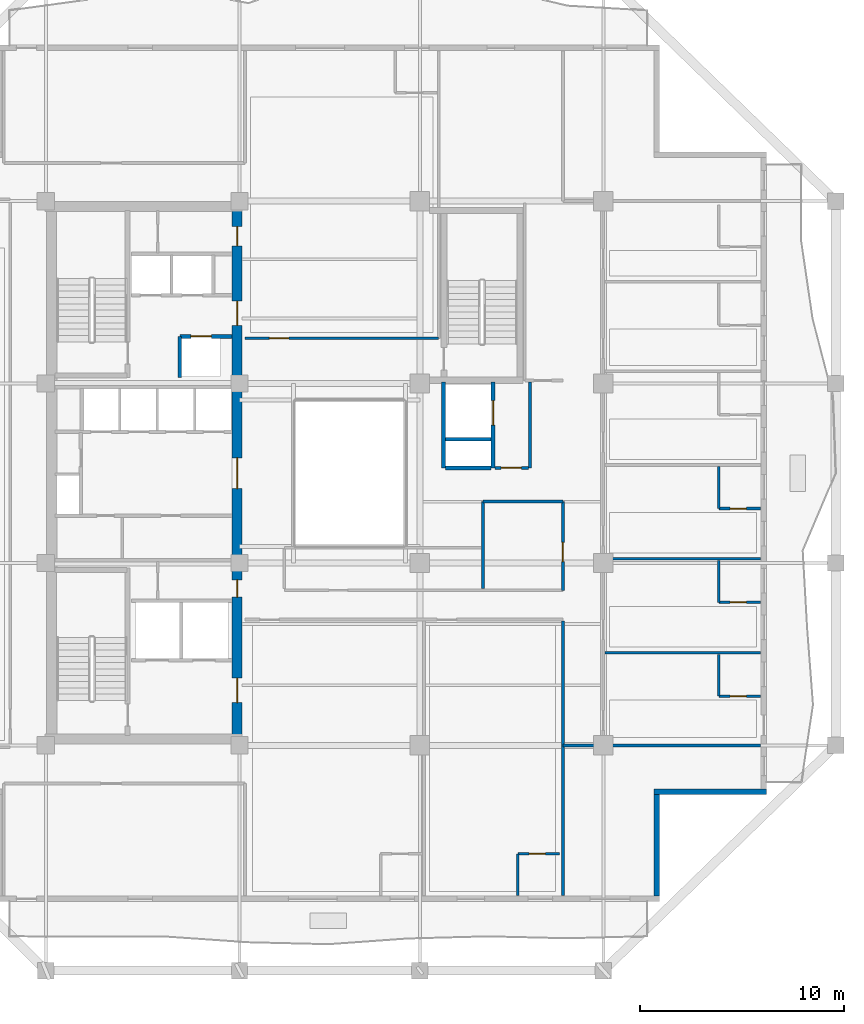
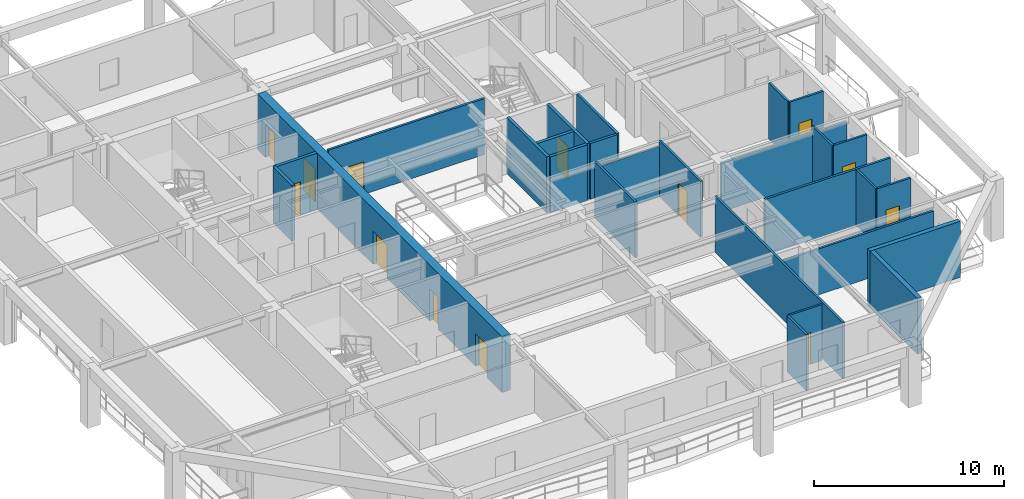
# One storey, part 4 of 13: 27 walls, 14 doors, 14 openings.
"""IFC4 building model written with IfcOpenShell, lengths in metres."""

from ifc_helpers import new_model, si_unit, direction, frame, frame_2d, origin, place, context, subcontext, project, spatial, rectangle, extrude, material, layer, layer_set, type_object, element, fill, save


model = new_model("IFC4")

# Units and contexts
model_context = context("Model", 3, precision=1e-05, world=origin(), true_north=direction((0.0, 1.0)))
body_context = subcontext(model_context, "Body", "Model", "MODEL_VIEW")
ifc_project = project(units=[si_unit("LENGTHUNIT", "METRE"), si_unit("AREAUNIT", "SQUARE_METRE"), si_unit("VOLUMEUNIT", "CUBIC_METRE"), si_unit("PLANEANGLEUNIT", "RADIAN"), si_unit("MASSUNIT", "GRAM", prefix="KILO")], contexts=[model_context])

# Site, building, storey
site_placement = place(None, origin())
site = spatial("IfcSite", under=ifc_project, at=site_placement, CompositionType="ELEMENT")
building_placement = place(site_placement, origin())
building = spatial("IfcBuilding", under=site, at=building_placement, Name="Kundavana Baori Tower", CompositionType="ELEMENT")
storey_placement = place(building_placement, frame((0.0, 0.0, 192.550048828125)))
storey = spatial("IfcBuildingStorey", under=building, at=storey_placement, Name="L47", CompositionType="ELEMENT", Elevation=192.550048828125)

# Wall, openings, doors
ifc_material_1 = material(Name="Concrete C50/60", Category="concrete")
ifc_layer_1 = layer(ifc_material_1, 0.5, Name="WL-CORE-500")
ifc_layer_set_1 = layer_set([ifc_layer_1], Name="Concrete C50/60")
wall_type_1 = type_object("IfcWallType", Name="WL-CORE-500", PredefinedType="SHEAR", material=ifc_layer_set_1)
wall_1_placement = place(storey_placement, frame((24.830078125, 15.739990234375, 0.0), z_axis=(0.0, 0.0, 1.0), x_axis=(0.0, 1.0, 0.0)))
wall_1 = element("IfcWall", 1, at=wall_1_placement, inside=storey, type_object=wall_type_1, Name="L47 Offset Core East Shear Wall", PredefinedType="SHEAR", context=body_context, shape_type="SweptSolid", body=[
    extrude(rectangle(XDim=25.760009765625, YDim=0.5, at=frame_2d((12.8798828125, 0.0))), origin(), (0.0, 0.0, 1.0), 3.599853515625),
])
opening_1_placement = place(wall_1_placement, frame((1.610107421875, 0.0, 0.0)))
opening_1 = element("IfcOpeningElement", 2, at=opening_1_placement, cuts=wall_1, Name="Opening FD-120", PredefinedType="OPENING", context=body_context, shape_type="SweptSolid", body=[
    extrude(rectangle(XDim=1.199951171875, YDim=2.10009765625, at=frame_2d((0.60009765625, 1.050048828125))), frame((0.0, 0.260009765625, 0.0), z_axis=(0.0, -1.0, 0.0), x_axis=(1.0, 0.0, 0.0)), (0.0, 0.0, 1.0), 0.52001953125),
])
opening_2_placement = place(wall_1_placement, frame((6.780029296875, 0.0, 0.0)))
opening_2 = element("IfcOpeningElement", 3, at=opening_2_placement, cuts=wall_1, Name="Opening FD-085", PredefinedType="OPENING", context=body_context, shape_type="SweptSolid", body=[
    extrude(rectangle(XDim=0.85009765625, YDim=2.06005859375, at=frame_2d((0.425048828125, 1.030029296875))), frame((0.0, 0.260009765625, 0.0), z_axis=(0.0, -1.0, 0.0), x_axis=(1.0, 0.0, 0.0)), (0.0, 0.0, 1.0), 0.52001953125),
])
opening_3_placement = place(wall_1_placement, frame((12.110107421875, 0.0, 0.0)))
opening_3 = element("IfcOpeningElement", 4, at=opening_3_placement, cuts=wall_1, Name="Opening FD-150", PredefinedType="OPENING", context=body_context, shape_type="SweptSolid", body=[
    extrude(rectangle(XDim=1.5, YDim=2.1201171875, at=frame_2d((0.75, 1.06005859375))), frame((0.0, 0.260009765625, 0.0), z_axis=(0.0, -1.0, 0.0), x_axis=(1.0, 0.0, 0.0)), (0.0, 0.0, 1.0), 0.52001953125),
])
opening_4_placement = place(wall_1_placement, frame((20.110107421875, 0.0, 0.0)))
opening_4 = element("IfcOpeningElement", 5, at=opening_4_placement, cuts=wall_1, Name="Opening FD-122", PredefinedType="OPENING", context=body_context, shape_type="SweptSolid", body=[
    extrude(rectangle(XDim=1.199951171875, YDim=2.1201171875, at=frame_2d((0.60009765625, 1.06005859375))), frame((0.0, 0.260009765625, 0.0), z_axis=(0.0, -1.0, 0.0), x_axis=(1.0, 0.0, 0.0)), (0.0, 0.0, 1.0), 0.52001953125),
])
opening_5_placement = place(wall_1_placement, frame((24.010009765625, 0.0, 0.0)))
opening_5 = element("IfcOpeningElement", 6, at=opening_5_placement, cuts=wall_1, Name="Opening FD-095", PredefinedType="OPENING", context=body_context, shape_type="SweptSolid", body=[
    extrude(rectangle(XDim=0.949951171875, YDim=2.10009765625, at=frame_2d((0.47509765625, 1.050048828125))), frame((0.0, 0.260009765625, 0.0), z_axis=(0.0, -1.0, 0.0), x_axis=(1.0, 0.0, 0.0)), (0.0, 0.0, 1.0), 0.52001953125),
])
ifc_material_2 = material(Name="Galvanised Steel Fire-Rated Door Leaf", Category="steel")
door_type_1 = type_object("IfcDoorType", Name="DR-FD120-1200", OperationType="NOTDEFINED", PredefinedType="DOOR", material=ifc_material_2)
door_1_placement = place(opening_1_placement, frame((1.199951171875, 0.0, 0.0), z_axis=(0.0, 0.0, 1.0), x_axis=(-1.0, 0.0, 0.0)))
door_1 = element("IfcDoor", 7, at=door_1_placement, inside=storey, type_object=door_type_1, Name="DR-L47-FFLOB-E", OperationType="SINGLE_SWING_RIGHT", OverallHeight=2.10009765625, OverallWidth=1.199951171875, PredefinedType="DOOR", context=body_context, shape_type="SweptSolid", body=[
    extrude(rectangle(XDim=1.199951171875, YDim=2.10009765625, at=frame_2d((0.60009765625, 1.050048828125))), frame((0.0, 0.02490234375, 0.0), z_axis=(0.0, -1.0, 0.0), x_axis=(1.0, 0.0, 0.0)), (0.0, 0.0, 1.0), 0.050048828125),
])
fill(opening_1, door_1)
ifc_material_3 = material(Name="Galvanised Steel Fire-Rated Door Leaf", Category="steel")
door_type_2 = type_object("IfcDoorType", Name="DR-FD60-1200", OperationType="NOTDEFINED", PredefinedType="DOOR", material=ifc_material_3)
door_2_placement = place(opening_4_placement, frame((1.199951171875, 0.0, 0.0), z_axis=(0.0, 0.0, 1.0), x_axis=(-1.0, 0.0, 0.0)))
door_2 = element("IfcDoor", 8, at=door_2_placement, inside=storey, type_object=door_type_2, Name="DR-L47-HRLOB-E", OperationType="SINGLE_SWING_RIGHT", OverallHeight=2.1201171875, OverallWidth=1.199951171875, PredefinedType="DOOR", context=body_context, shape_type="SweptSolid", body=[
    extrude(rectangle(XDim=1.199951171875, YDim=2.1201171875, at=frame_2d((0.60009765625, 1.06005859375))), frame((0.0, 0.02490234375, 0.0), z_axis=(0.0, -1.0, 0.0), x_axis=(1.0, 0.0, 0.0)), (0.0, 0.0, 1.0), 0.050048828125),
])
fill(opening_4, door_2)
ifc_material_4 = material(Name="Galvanised Steel Fire-Rated Door Leaf", Category="steel")
door_type_3 = type_object("IfcDoorType", Name="DR-FD60-1500", OperationType="NOTDEFINED", PredefinedType="DOOR", material=ifc_material_4)
door_3_placement = place(opening_3_placement, frame((1.5, 0.0, 0.0), z_axis=(0.0, 0.0, 1.0), x_axis=(-1.0, 0.0, 0.0)))
door_3 = element("IfcDoor", 9, at=door_3_placement, inside=storey, type_object=door_type_3, Name="DR-L47-LIFTHALL-E", OperationType="SINGLE_SWING_LEFT", OverallHeight=2.1201171875, OverallWidth=1.5, PredefinedType="DOOR", context=body_context, shape_type="SweptSolid", body=[
    extrude(rectangle(XDim=1.5, YDim=2.1201171875, at=frame_2d((0.75, 1.06005859375))), frame((0.0, 0.02490234375, 0.0), z_axis=(0.0, -1.0, 0.0), x_axis=(1.0, 0.0, 0.0)), (0.0, 0.0, 1.0), 0.050048828125),
])
fill(opening_3, door_3)
ifc_material_5 = material(Name="Galvanised Steel Fire-Rated Door Leaf", Category="steel")
door_type_4 = type_object("IfcDoorType", Name="DR-FD60-850", OperationType="NOTDEFINED", PredefinedType="DOOR", material=ifc_material_5)
door_4_placement = place(opening_2_placement, frame((0.85009765625, 0.0, 0.0), z_axis=(0.0, 0.0, 1.0), x_axis=(-1.0, 0.0, 0.0)))
door_4 = element("IfcDoor", 10, at=door_4_placement, inside=storey, type_object=door_type_4, Name="DR-L47-CSMK2", OperationType="SINGLE_SWING_LEFT", OverallHeight=2.06005859375, OverallWidth=0.85009765625, PredefinedType="DOOR", context=body_context, shape_type="SweptSolid", body=[
    extrude(rectangle(XDim=0.85009765625, YDim=2.06005859375, at=frame_2d((0.425048828125, 1.030029296875))), frame((0.0, 0.02490234375, 0.0), z_axis=(0.0, -1.0, 0.0), x_axis=(1.0, 0.0, 0.0)), (0.0, 0.0, 1.0), 0.050048828125),
])
fill(opening_2, door_4)
ifc_material_6 = material(Name="Engineered Teak Fire-Rated Timber Door Leaf", Category="wood")
door_type_5 = type_object("IfcDoorType", Name="DR-FD60-950", OperationType="NOTDEFINED", PredefinedType="DOOR", material=ifc_material_6)
door_5_placement = place(opening_5_placement, frame((0.949951171875, 0.0, 0.0), z_axis=(0.0, 0.0, 1.0), x_axis=(-1.0, 0.0, 0.0)))
door_5 = element("IfcDoor", 11, at=door_5_placement, inside=storey, type_object=door_type_5, Name="DR-L47-CSRV2", OperationType="SINGLE_SWING_LEFT", OverallHeight=2.10009765625, OverallWidth=0.949951171875, PredefinedType="DOOR", context=body_context, shape_type="SweptSolid", body=[
    extrude(rectangle(XDim=0.949951171875, YDim=2.10009765625, at=frame_2d((0.47509765625, 1.050048828125))), frame((0.0, 0.02490234375, 0.0), z_axis=(0.0, -1.0, 0.0), x_axis=(1.0, 0.0, 0.0)), (0.0, 0.0, 1.0), 0.050048828125),
])
fill(opening_5, door_5)

# Walls
ifc_material_7 = material(Name="Kiln-Fired Terracotta Brick-Slip Masonry on Concrete C40/50", Category="masonry")
ifc_layer_2 = layer(ifc_material_7, 0.260009765625, Name="WL-EXT-BRK-260")
ifc_layer_set_2 = layer_set([ifc_layer_2], Name="Kiln-Fired Terracotta Brick-Slip Masonry on Concrete C40/50")
wall_type_2 = type_object("IfcWallType", Name="WL-EXT-BRK-260", PredefinedType="SOLIDWALL", material=ifc_layer_set_2)
wall_2_placement = place(storey_placement, frame((45.419921875, 7.860107421875, 0.0), z_axis=(0.0, 0.0, 1.0), x_axis=(0.0, 1.0, 0.0)))
element("IfcWall", 12, at=wall_2_placement, inside=storey, type_object=wall_type_2, Name="L47 Exterior Insulated Facade Wall 02", PredefinedType="SOLIDWALL", context=body_context, shape_type="SweptSolid", body=[
    extrude(rectangle(XDim=4.989990234375, YDim=0.260009765625, at=frame_2d((2.4951171875, 0.0))), origin(), (0.0, 0.0, 1.0), 3.599853515625),
])
wall_3_placement = place(storey_placement, frame((45.2900390625, 12.97998046875, 0.0), z_axis=(0.0, 0.0, 1.0), x_axis=(1.0, 0.0, 0.0)))
element("IfcWall", 13, at=wall_3_placement, inside=storey, type_object=wall_type_2, Name="L47 Exterior Insulated Facade Wall 03", PredefinedType="SOLIDWALL", context=body_context, shape_type="SweptSolid", body=[
    extrude(rectangle(XDim=5.510009765625, YDim=0.260009765625, at=frame_2d((2.7548828125, 0.0))), origin(), (0.0, 0.0, 1.0), 3.599853515625),
])

# Wall, opening, door
ifc_material_8 = material(Name="Acoustic Gypsum Plasterboard on Galvanised Steel Studs", Category="steel")
ifc_layer_3 = layer(ifc_material_8, 0.135009765625, Name="WL-PART-135")
ifc_layer_set_3 = layer_set([ifc_layer_3], Name="Acoustic Gypsum Plasterboard on Galvanised Steel Studs")
wall_type_3 = type_object("IfcWallType", Name="WL-PART-135", PredefinedType="PARTITIONING", material=ifc_layer_set_3)
wall_4_placement = place(storey_placement, frame((25.219970703125, 35.219970703125, 0.0), z_axis=(0.0, 0.0, 1.0), x_axis=(1.0, 0.0, 0.0)))
wall_4 = element("IfcWall", 14, at=wall_4_placement, inside=storey, type_object=wall_type_3, Name="WL-L47-HN", PredefinedType="PARTITIONING", context=body_context, shape_type="SweptSolid", body=[
    extrude(rectangle(XDim=9.5, YDim=0.135009765625, at=frame_2d((4.75, 0.0))), origin(), (0.0, 0.0, 1.0), 3.599853515625),
])
opening_6_placement = place(wall_4_placement, frame((1.199951171875, 0.0, 0.0)))
opening_6 = element("IfcOpeningElement", 15, at=opening_6_placement, cuts=wall_4, Name="Opening FD-095", PredefinedType="OPENING", context=body_context, shape_type="SweptSolid", body=[
    extrude(rectangle(XDim=0.949951171875, YDim=2.10009765625, at=frame_2d((0.47509765625, 1.050048828125))), frame((0.0, 0.07763671875, 0.0), z_axis=(0.0, -1.0, 0.0), x_axis=(1.0, 0.0, 0.0)), (0.0, 0.0, 1.0), 0.155029296875),
])
door_6_placement = place(opening_6_placement, origin())
door_6 = element("IfcDoor", 16, at=door_6_placement, inside=storey, type_object=door_type_5, Name="DR-L47-HK-N1-ENT", OperationType="SINGLE_SWING_RIGHT", OverallHeight=2.10009765625, OverallWidth=0.949951171875, PredefinedType="DOOR", context=body_context, shape_type="SweptSolid", body=[
    extrude(rectangle(XDim=0.949951171875, YDim=2.10009765625, at=frame_2d((0.47509765625, 1.050048828125))), frame((0.0, 0.02490234375, 0.0), z_axis=(0.0, -1.0, 0.0), x_axis=(1.0, 0.0, 0.0)), (0.0, 0.0, 1.0), 0.050048828125),
])
fill(opening_6, door_6)

# Wall
wall_5_placement = place(storey_placement, frame((40.820068359375, 15.25, 0.0), z_axis=(0.0, 0.0, 1.0), x_axis=(1.0, 0.0, 0.0)))
element("IfcWall", 17, at=wall_5_placement, inside=storey, type_object=wall_type_3, Name="WL-L47-HES", PredefinedType="PARTITIONING", context=body_context, shape_type="SweptSolid", body=[
    extrude(rectangle(XDim=9.699951171875, YDim=0.135009765625, at=frame_2d((4.85009765625, 0.0))), origin(), (0.0, 0.0, 1.0), 2.949951171875),
])

# Wall, opening, door
wall_6_placement = place(storey_placement, frame((40.820068359375, 22.860107421875, 0.0), z_axis=(0.0, 0.0, 1.0), x_axis=(0.0, 1.0, 0.0)))
wall_6 = element("IfcWall", 18, at=wall_6_placement, inside=storey, type_object=wall_type_3, Name="WL-L47-HEW", PredefinedType="PARTITIONING", context=body_context, shape_type="SweptSolid", body=[
    extrude(rectangle(XDim=4.35986328125, YDim=0.135009765625, at=frame_2d((2.179931640625, 0.0))), origin(), (0.0, 0.0, 1.0), 3.599853515625),
])
opening_7_placement = place(wall_6_placement, frame((1.39990234375, 0.0, 0.0)))
opening_7 = element("IfcOpeningElement", 19, at=opening_7_placement, cuts=wall_6, Name="Opening FD-095", PredefinedType="OPENING", context=body_context, shape_type="SweptSolid", body=[
    extrude(rectangle(XDim=0.949951171875, YDim=2.10009765625, at=frame_2d((0.47509765625, 1.050048828125))), frame((0.0, 0.07763671875, 0.0), z_axis=(0.0, -1.0, 0.0), x_axis=(1.0, 0.0, 0.0)), (0.0, 0.0, 1.0), 0.155029296875),
])
door_7_placement = place(opening_7_placement, frame((0.949951171875, 0.0, 0.0), z_axis=(0.0, 0.0, 1.0), x_axis=(-1.0, 0.0, 0.0)))
door_7 = element("IfcDoor", 20, at=door_7_placement, inside=storey, type_object=door_type_5, Name="DR-L47-HSK", OperationType="SINGLE_SWING_RIGHT", OverallHeight=2.10009765625, OverallWidth=0.949951171875, PredefinedType="DOOR", context=body_context, shape_type="SweptSolid", body=[
    extrude(rectangle(XDim=0.949951171875, YDim=2.10009765625, at=frame_2d((0.47509765625, 1.050048828125))), frame((0.0, 0.02490234375, 0.0), z_axis=(0.0, -1.0, 0.0), x_axis=(1.0, 0.0, 0.0)), (0.0, 0.0, 1.0), 0.050048828125),
])
fill(opening_7, door_7)

# Walls
wall_7_placement = place(storey_placement, frame((36.89990234375, 27.219970703125, 0.0), z_axis=(0.0, 0.0, 1.0), x_axis=(1.0, 0.0, 0.0)))
element("IfcWall", 21, at=wall_7_placement, inside=storey, type_object=wall_type_3, Name="WL-L47-HKN", PredefinedType="PARTITIONING", context=body_context, shape_type="SweptSolid", body=[
    extrude(rectangle(XDim=3.920166015625, YDim=0.135009765625, at=frame_2d((1.9599609375, 0.0))), origin(), (0.0, 0.0, 1.0), 3.25),
])
wall_8_placement = place(storey_placement, frame((36.89990234375, 22.93994140625, 0.0), z_axis=(0.0, 0.0, 1.0), x_axis=(0.0, 1.0, 0.0)))
element("IfcWall", 22, at=wall_8_placement, inside=storey, type_object=wall_type_3, Name="WL-L47-HKD", PredefinedType="PARTITIONING", context=body_context, shape_type="SweptSolid", body=[
    extrude(rectangle(XDim=4.280029296875, YDim=0.135009765625, at=frame_2d((2.14013671875, 0.0))), origin(), (0.0, 0.0, 1.0), 3.599853515625),
])
wall_9_placement = place(storey_placement, frame((40.820068359375, 7.8798828125, 0.0), z_axis=(0.0, 0.0, 1.0), x_axis=(0.0, 1.0, 0.0)))
element("IfcWall", 23, at=wall_9_placement, inside=storey, type_object=wall_type_3, Name="WL-L47-HSEND", PredefinedType="PARTITIONING", context=body_context, shape_type="SweptSolid", body=[
    extrude(rectangle(XDim=13.460205078125, YDim=0.135009765625, at=frame_2d((6.72998046875, 0.0))), origin(), (0.0, 0.0, 1.0), 3.599853515625),
])
wall_10_placement = place(storey_placement, frame((42.8798828125, 19.800048828125, 0.0), z_axis=(0.0, 0.0, 1.0), x_axis=(1.0, 0.0, 0.0)))
element("IfcWall", 24, at=wall_10_placement, inside=storey, type_object=wall_type_3, Name="WL-L47-HED1", PredefinedType="PARTITIONING", context=body_context, shape_type="SweptSolid", body=[
    extrude(rectangle(XDim=7.64013671875, YDim=0.135009765625, at=frame_2d((3.820068359375, 0.0))), origin(), (0.0, 0.0, 1.0), 3.599853515625),
])
wall_11_placement = place(storey_placement, frame((42.8798828125, 24.39990234375, 0.0), z_axis=(0.0, 0.0, 1.0), x_axis=(1.0, 0.0, 0.0)))
element("IfcWall", 25, at=wall_11_placement, inside=storey, type_object=wall_type_3, Name="WL-L47-HED2", PredefinedType="PARTITIONING", context=body_context, shape_type="SweptSolid", body=[
    extrude(rectangle(XDim=7.64013671875, YDim=0.135009765625, at=frame_2d((3.820068359375, 0.0))), origin(), (0.0, 0.0, 1.0), 3.14990234375),
])
ifc_material_9 = material(Name="Fire-Rated Gypsum Drywall on Galvanised Steel Studs", Category="steel")
ifc_layer_4 = layer(ifc_material_9, 0.14990234375, Name="WL-PART-150")
ifc_layer_set_4 = layer_set([ifc_layer_4], Name="Fire-Rated Gypsum Drywall on Galvanised Steel Studs")
wall_type_4 = type_object("IfcWallType", Name="WL-PART-150", PredefinedType="PARTITIONING", material=ifc_layer_set_4)
wall_12_placement = place(storey_placement, frame((39.199951171875, 28.860107421875, 0.0), z_axis=(0.0, 0.0, 1.0), x_axis=(0.0, 1.0, 0.0)))
element("IfcWall", 26, at=wall_12_placement, inside=storey, type_object=wall_type_4, Name="WL-L47-SVLOB-E", PredefinedType="PARTITIONING", context=body_context, shape_type="SweptSolid", body=[
    extrude(rectangle(XDim=4.219970703125, YDim=0.14990234375, at=frame_2d((2.10986328125, 0.0))), origin(), (0.0, 0.0, 1.0), 3.599853515625),
])

# Wall, opening, door
wall_13_placement = place(storey_placement, frame((37.47998046875, 28.860107421875, 0.0), z_axis=(0.0, 0.0, 1.0), x_axis=(1.0, 0.0, 0.0)))
wall_13 = element("IfcWall", 27, at=wall_13_placement, inside=storey, type_object=wall_type_4, Name="WL-L47-SVLOB-S", PredefinedType="PARTITIONING", context=body_context, shape_type="SweptSolid", body=[
    extrude(rectangle(XDim=1.64013671875, YDim=0.14990234375, at=frame_2d((0.820068359375, 0.0))), origin(), (0.0, 0.0, 1.0), 3.599853515625),
])
opening_8_placement = place(wall_13_placement, frame((0.300048828125, 0.0, 0.0)))
opening_8 = element("IfcOpeningElement", 28, at=opening_8_placement, cuts=wall_13, Name="Opening FD-100", PredefinedType="OPENING", context=body_context, shape_type="SweptSolid", body=[
    extrude(rectangle(XDim=1.0, YDim=2.10009765625, at=frame_2d((0.5, 1.050048828125))), frame((0.0, 0.0849609375, 0.0), z_axis=(0.0, -1.0, 0.0), x_axis=(1.0, 0.0, 0.0)), (0.0, 0.0, 1.0), 0.169921875),
])
ifc_material_10 = material(Name="Engineered Teak Fire-Rated Timber Door Leaf", Category="wood")
door_type_6 = type_object("IfcDoorType", Name="DR-FD60-1000", OperationType="NOTDEFINED", PredefinedType="DOOR", material=ifc_material_10)
door_8_placement = place(opening_8_placement, origin())
door_8 = element("IfcDoor", 29, at=door_8_placement, inside=storey, type_object=door_type_6, Name="DR-L47-SVLOB-OUT", OperationType="SINGLE_SWING_LEFT", OverallHeight=2.10009765625, OverallWidth=1.0, PredefinedType="DOOR", context=body_context, shape_type="SweptSolid", body=[
    extrude(rectangle(XDim=1.0, YDim=2.10009765625, at=frame_2d((0.5, 1.050048828125))), frame((0.0, 0.02490234375, 0.0), z_axis=(0.0, -1.0, 0.0), x_axis=(1.0, 0.0, 0.0)), (0.0, 0.0, 1.0), 0.050048828125),
])
fill(opening_8, door_8)

ifc_material_11 = material(Name="Autoclaved Aerated Concrete Blockwork Masonry", Category="masonry")
ifc_layer_5 = layer(ifc_material_11, 0.179931640625, Name="WL-SHAFT-180")
ifc_layer_set_5 = layer_set([ifc_layer_5], Name="Autoclaved Aerated Concrete Blockwork Masonry")
wall_type_5 = type_object("IfcWallType", Name="WL-SHAFT-180", PredefinedType="SOLIDWALL", material=ifc_layer_set_5)
wall_14_placement = place(storey_placement, frame((22.02001953125, 35.31005859375, 0.0), z_axis=(0.0, 0.0, 1.0), x_axis=(1.0, 0.0, 0.0)))
wall_14 = element("IfcWall", 30, at=wall_14_placement, inside=storey, type_object=wall_type_5, Name="WL-L47-LP11-N", PredefinedType="SOLIDWALL", context=body_context, shape_type="SweptSolid", body=[
    extrude(rectangle(XDim=2.56005859375, YDim=0.179931640625, at=frame_2d((1.280029296875, 0.0))), origin(), (0.0, 0.0, 1.0), 3.599853515625),
])
opening_9_placement = place(wall_14_placement, frame((0.550048828125, 0.0, 0.0)))
opening_9 = element("IfcOpeningElement", 31, at=opening_9_placement, cuts=wall_14, Name="Opening LD-100", PredefinedType="OPENING", context=body_context, shape_type="SweptSolid", body=[
    extrude(rectangle(XDim=1.0, YDim=2.10009765625, at=frame_2d((0.5, 1.050048828125))), frame((0.0, 0.10009765625, 0.0), z_axis=(0.0, -1.0, 0.0), x_axis=(1.0, 0.0, 0.0)), (0.0, 0.0, 1.0), 0.199951171875),
])
ifc_material_12 = material(Name="Galvanised Steel Fire-Rated Door Leaf", Category="steel")
door_type_7 = type_object("IfcDoorType", Name="DR-SLIDE-LD1000", OperationType="NOTDEFINED", PredefinedType="DOOR", material=ifc_material_12)
door_9_placement = place(opening_9_placement, origin())
door_9 = element("IfcDoor", 32, at=door_9_placement, inside=storey, type_object=door_type_7, Name="DR-L47-LD-LP11", OperationType="DOUBLE_DOOR_SLIDING", OverallHeight=2.10009765625, OverallWidth=1.0, PredefinedType="DOOR", context=body_context, shape_type="SweptSolid", body=[
    extrude(rectangle(XDim=1.0, YDim=2.10009765625, at=frame_2d((0.5, 1.050048828125))), frame((0.0, 0.02490234375, 0.0), z_axis=(0.0, -1.0, 0.0), x_axis=(1.0, 0.0, 0.0)), (0.0, 0.0, 1.0), 0.050048828125),
])
fill(opening_9, door_9)

# Walls
wall_15_placement = place(storey_placement, frame((22.02001953125, 33.300048828125, 0.0), z_axis=(0.0, 0.0, 1.0), x_axis=(0.0, 1.0, 0.0)))
element("IfcWall", 33, at=wall_15_placement, inside=storey, type_object=wall_type_5, Name="WL-L47-LP11-W", PredefinedType="SOLIDWALL", context=body_context, shape_type="SweptSolid", body=[
    extrude(rectangle(XDim=2.010009765625, YDim=0.179931640625, at=frame_2d((1.0048828125, 0.0))), origin(), (0.0, 0.0, 1.0), 3.599853515625),
])
wall_16_placement = place(storey_placement, frame((34.9599609375, 28.860107421875, 0.0), z_axis=(0.0, 0.0, 1.0), x_axis=(0.0, 1.0, 0.0)))
element("IfcWall", 34, at=wall_16_placement, inside=storey, type_object=wall_type_5, Name="WL-L47-SVL-W", PredefinedType="SOLIDWALL", context=body_context, shape_type="SweptSolid", body=[
    extrude(rectangle(XDim=4.219970703125, YDim=0.179931640625, at=frame_2d((2.10986328125, 0.0))), origin(), (0.0, 0.0, 1.0), 3.599853515625),
])

# Wall, opening, door
wall_17_placement = place(storey_placement, frame((37.389892578125, 28.860107421875, 0.0), z_axis=(0.0, 0.0, 1.0), x_axis=(0.0, 1.0, 0.0)))
wall_17 = element("IfcWall", 35, at=wall_17_placement, inside=storey, type_object=wall_type_5, Name="WL-L47-SVL-E", PredefinedType="SOLIDWALL", context=body_context, shape_type="SweptSolid", body=[
    extrude(rectangle(XDim=4.219970703125, YDim=0.179931640625, at=frame_2d((2.10986328125, 0.0))), origin(), (0.0, 0.0, 1.0), 3.599853515625),
])
opening_10_placement = place(wall_17_placement, frame((2.10009765625, 0.0, 0.0)))
opening_10 = element("IfcOpeningElement", 36, at=opening_10_placement, cuts=wall_17, Name="Opening LD-120", PredefinedType="OPENING", context=body_context, shape_type="SweptSolid", body=[
    extrude(rectangle(XDim=1.199951171875, YDim=2.1201171875, at=frame_2d((0.60009765625, 1.06005859375))), frame((0.0, 0.10009765625, 0.0), z_axis=(0.0, -1.0, 0.0), x_axis=(1.0, 0.0, 0.0)), (0.0, 0.0, 1.0), 0.199951171875),
])
ifc_material_13 = material(Name="Galvanised Steel Fire-Rated Door Leaf", Category="steel")
door_type_8 = type_object("IfcDoorType", Name="DR-SLIDE-LD1200", OperationType="NOTDEFINED", PredefinedType="DOOR", material=ifc_material_13)
door_10_placement = place(opening_10_placement, frame((1.199951171875, 0.0, 0.0), z_axis=(0.0, 0.0, 1.0), x_axis=(-1.0, 0.0, 0.0)))
door_10 = element("IfcDoor", 37, at=door_10_placement, inside=storey, type_object=door_type_8, Name="DR-L47-LD-SVL1", OperationType="DOUBLE_DOOR_SLIDING", OverallHeight=2.1201171875, OverallWidth=1.199951171875, PredefinedType="DOOR", context=body_context, shape_type="SweptSolid", body=[
    extrude(rectangle(XDim=1.199951171875, YDim=2.1201171875, at=frame_2d((0.60009765625, 1.06005859375))), frame((0.0, 0.02490234375, 0.0), z_axis=(0.0, -1.0, 0.0), x_axis=(1.0, 0.0, 0.0)), (0.0, 0.0, 1.0), 0.050048828125),
])
fill(opening_10, door_10)

# Walls
for number, where, z_axis, x_axis, name in (
    (38, (35.050048828125, 28.860107421875, 0.0), (0.0, 0.0, 1.0), (1.0, 0.0, 0.0), "WL-L47-SVL-S"),
    (39, (35.050048828125, 30.27001953125, 0.0), (0.0, 0.0, 1.0), (1.0, 0.0, 0.0), "WL-L47-SVL-M"),
):
    element("IfcWall", number, at=place(storey_placement, frame(where, z_axis=z_axis, x_axis=x_axis)), inside=storey, type_object=wall_type_5, Name=name, PredefinedType="SOLIDWALL", context=body_context, shape_type="SweptSolid", body=[
        extrude(rectangle(XDim=2.25, YDim=0.179931640625, at=frame_2d((1.125, 0.0))), origin(), (0.0, 0.0, 1.0), 3.599853515625),
    ])
ifc_material_14 = material(Name="Autoclaved Aerated Concrete Blockwork Masonry", Category="masonry")
ifc_layer_6 = layer(ifc_material_14, 0.125, Name="WL-WET-120")
ifc_layer_set_6 = layer_set([ifc_layer_6], Name="Autoclaved Aerated Concrete Blockwork Masonry")
wall_type_6 = type_object("IfcWallType", Name="WL-WET-120", PredefinedType="PLUMBINGWALL", material=ifc_layer_set_6)
wall_18_placement = place(storey_placement, frame((38.610107421875, 7.8798828125, 0.0), z_axis=(0.0, 0.0, 1.0), x_axis=(0.0, 1.0, 0.0)))
element("IfcWall", 40, at=wall_18_placement, inside=storey, type_object=wall_type_6, Name="WL-L47-HK-S2-BW", PredefinedType="PLUMBINGWALL", context=body_context, shape_type="SweptSolid", body=[
    extrude(rectangle(XDim=2.050048828125, YDim=0.125, at=frame_2d((1.02490234375, 0.0))), origin(), (0.0, 0.0, 1.0), 3.599853515625),
])

# Wall, opening, door
wall_19_placement = place(storey_placement, frame((38.610107421875, 9.929931640625, 0.0), z_axis=(0.0, 0.0, 1.0), x_axis=(1.0, 0.0, 0.0)))
wall_19 = element("IfcWall", 41, at=wall_19_placement, inside=storey, type_object=wall_type_6, Name="WL-L47-HK-S2-BN", PredefinedType="PLUMBINGWALL", context=body_context, shape_type="SweptSolid", body=[
    extrude(rectangle(XDim=2.0498046875, YDim=0.125, at=frame_2d((1.02490234375, 0.0))), origin(), (0.0, 0.0, 1.0), 3.599853515625),
])
opening_11_placement = place(wall_19_placement, frame((0.550048828125, 0.0, 0.0)))
opening_11 = element("IfcOpeningElement", 42, at=opening_11_placement, cuts=wall_19, Name="Opening WD-080", PredefinedType="OPENING", context=body_context, shape_type="SweptSolid", body=[
    extrude(rectangle(XDim=0.800048828125, YDim=2.050048828125, at=frame_2d((0.39990234375, 1.02490234375))), frame((0.0, 0.072509765625, 0.0), z_axis=(0.0, -1.0, 0.0), x_axis=(1.0, 0.0, 0.0)), (0.0, 0.0, 1.0), 0.14501953125),
])
ifc_material_15 = material(Name="Engineered Teak Solid-Core Timber Veneer", Category="wood")
door_type_9 = type_object("IfcDoorType", Name="DR-WET-800", OperationType="NOTDEFINED", PredefinedType="DOOR", material=ifc_material_15)
door_11_placement = place(opening_11_placement, origin())
door_11 = element("IfcDoor", 43, at=door_11_placement, inside=storey, type_object=door_type_9, Name="DR-L47-HK-S2-ENS", OperationType="SINGLE_SWING_LEFT", OverallHeight=2.050048828125, OverallWidth=0.800048828125, PredefinedType="DOOR", context=body_context, shape_type="SweptSolid", body=[
    extrude(rectangle(XDim=0.800048828125, YDim=2.050048828125, at=frame_2d((0.39990234375, 1.02490234375))), frame((0.0, 0.02490234375, 0.0), z_axis=(0.0, -1.0, 0.0), x_axis=(1.0, 0.0, 0.0)), (0.0, 0.0, 1.0), 0.050048828125),
])
fill(opening_11, door_11)

# Wall
wall_20_placement = place(storey_placement, frame((48.469970703125, 17.669921875, 0.0), z_axis=(0.0, 0.0, 1.0), x_axis=(0.0, 1.0, 0.0)))
element("IfcWall", 44, at=wall_20_placement, inside=storey, type_object=wall_type_6, Name="WL-L47-HK-E1-BW", PredefinedType="PLUMBINGWALL", context=body_context, shape_type="SweptSolid", body=[
    extrude(rectangle(XDim=2.050048828125, YDim=0.125, at=frame_2d((1.02490234375, 0.0))), origin(), (0.0, 0.0, 1.0), 3.599853515625),
])

# Wall, opening, door
wall_21_placement = place(storey_placement, frame((48.469970703125, 17.669921875, 0.0), z_axis=(0.0, 0.0, 1.0), x_axis=(1.0, 0.0, 0.0)))
wall_21 = element("IfcWall", 45, at=wall_21_placement, inside=storey, type_object=wall_type_6, Name="WL-L47-HK-E1-BS", PredefinedType="PLUMBINGWALL", context=body_context, shape_type="SweptSolid", body=[
    extrude(rectangle(XDim=2.050048828125, YDim=0.125, at=frame_2d((1.02490234375, 0.0))), origin(), (0.0, 0.0, 1.0), 3.599853515625),
])
opening_12_placement = place(wall_21_placement, frame((0.550048828125, 0.0, 0.0)))
opening_12 = element("IfcOpeningElement", 46, at=opening_12_placement, cuts=wall_21, Name="Opening WD-080", PredefinedType="OPENING", context=body_context, shape_type="SweptSolid", body=[
    extrude(rectangle(XDim=0.800048828125, YDim=2.050048828125, at=frame_2d((0.39990234375, 1.02490234375))), frame((0.0, 0.072509765625, 0.0), z_axis=(0.0, -1.0, 0.0), x_axis=(1.0, 0.0, 0.0)), (0.0, 0.0, 1.0), 0.14501953125),
])
door_12_placement = place(opening_12_placement, frame((0.800048828125, 0.0, 0.0), z_axis=(0.0, 0.0, 1.0), x_axis=(-1.0, 0.0, 0.0)))
door_12 = element("IfcDoor", 47, at=door_12_placement, inside=storey, type_object=door_type_9, Name="DR-L47-HK-E1-ENS", OperationType="SINGLE_SWING_LEFT", OverallHeight=2.050048828125, OverallWidth=0.800048828125, PredefinedType="DOOR", context=body_context, shape_type="SweptSolid", body=[
    extrude(rectangle(XDim=0.800048828125, YDim=2.050048828125, at=frame_2d((0.39990234375, 1.02490234375))), frame((0.0, 0.02490234375, 0.0), z_axis=(0.0, -1.0, 0.0), x_axis=(1.0, 0.0, 0.0)), (0.0, 0.0, 1.0), 0.050048828125),
])
fill(opening_12, door_12)

# Wall
wall_22_placement = place(storey_placement, frame((48.469970703125, 22.27001953125, 0.0), z_axis=(0.0, 0.0, 1.0), x_axis=(0.0, 1.0, 0.0)))
element("IfcWall", 48, at=wall_22_placement, inside=storey, type_object=wall_type_6, Name="WL-L47-HK-E2-BW", PredefinedType="PLUMBINGWALL", context=body_context, shape_type="SweptSolid", body=[
    extrude(rectangle(XDim=2.050048828125, YDim=0.125, at=frame_2d((1.02490234375, 0.0))), origin(), (0.0, 0.0, 1.0), 3.599853515625),
])

# Wall, opening, door
wall_23_placement = place(storey_placement, frame((48.469970703125, 22.27001953125, 0.0), z_axis=(0.0, 0.0, 1.0), x_axis=(1.0, 0.0, 0.0)))
wall_23 = element("IfcWall", 49, at=wall_23_placement, inside=storey, type_object=wall_type_6, Name="WL-L47-HK-E2-BS", PredefinedType="PLUMBINGWALL", context=body_context, shape_type="SweptSolid", body=[
    extrude(rectangle(XDim=2.050048828125, YDim=0.125, at=frame_2d((1.02490234375, 0.0))), origin(), (0.0, 0.0, 1.0), 3.599853515625),
])
opening_13_placement = place(wall_23_placement, frame((0.550048828125, 0.0, 0.0)))
opening_13 = element("IfcOpeningElement", 50, at=opening_13_placement, cuts=wall_23, Name="Opening WD-080", PredefinedType="OPENING", context=body_context, shape_type="SweptSolid", body=[
    extrude(rectangle(XDim=0.800048828125, YDim=2.050048828125, at=frame_2d((0.39990234375, 1.02490234375))), frame((0.0, 0.072509765625, 0.0), z_axis=(0.0, -1.0, 0.0), x_axis=(1.0, 0.0, 0.0)), (0.0, 0.0, 1.0), 0.14501953125),
])
door_13_placement = place(opening_13_placement, frame((0.800048828125, 0.0, 0.0), z_axis=(0.0, 0.0, 1.0), x_axis=(-1.0, 0.0, 0.0)))
door_13 = element("IfcDoor", 51, at=door_13_placement, inside=storey, type_object=door_type_9, Name="DR-L47-HK-E2-ENS", OperationType="SINGLE_SWING_LEFT", OverallHeight=2.050048828125, OverallWidth=0.800048828125, PredefinedType="DOOR", context=body_context, shape_type="SweptSolid", body=[
    extrude(rectangle(XDim=0.800048828125, YDim=2.050048828125, at=frame_2d((0.39990234375, 1.02490234375))), frame((0.0, 0.02490234375, 0.0), z_axis=(0.0, -1.0, 0.0), x_axis=(1.0, 0.0, 0.0)), (0.0, 0.0, 1.0), 0.050048828125),
])
fill(opening_13, door_13)

# Wall
wall_24_placement = place(storey_placement, frame((48.469970703125, 26.8701171875, 0.0), z_axis=(0.0, 0.0, 1.0), x_axis=(0.0, 1.0, 0.0)))
element("IfcWall", 52, at=wall_24_placement, inside=storey, type_object=wall_type_6, Name="WL-L47-HK-E3-BW", PredefinedType="PLUMBINGWALL", context=body_context, shape_type="SweptSolid", body=[
    extrude(rectangle(XDim=2.0498046875, YDim=0.125, at=frame_2d((1.02490234375, 0.0))), origin(), (0.0, 0.0, 1.0), 3.599853515625),
])

# Wall, opening, door
wall_25_placement = place(storey_placement, frame((48.469970703125, 26.8701171875, 0.0), z_axis=(0.0, 0.0, 1.0), x_axis=(1.0, 0.0, 0.0)))
wall_25 = element("IfcWall", 53, at=wall_25_placement, inside=storey, type_object=wall_type_6, Name="WL-L47-HK-E3-BS", PredefinedType="PLUMBINGWALL", context=body_context, shape_type="SweptSolid", body=[
    extrude(rectangle(XDim=2.050048828125, YDim=0.125, at=frame_2d((1.02490234375, 0.0))), origin(), (0.0, 0.0, 1.0), 3.599853515625),
])
opening_14_placement = place(wall_25_placement, frame((0.550048828125, 0.0, 0.0)))
opening_14 = element("IfcOpeningElement", 54, at=opening_14_placement, cuts=wall_25, Name="Opening WD-080", PredefinedType="OPENING", context=body_context, shape_type="SweptSolid", body=[
    extrude(rectangle(XDim=0.800048828125, YDim=2.050048828125, at=frame_2d((0.39990234375, 1.02490234375))), frame((0.0, 0.072509765625, 0.0), z_axis=(0.0, -1.0, 0.0), x_axis=(1.0, 0.0, 0.0)), (0.0, 0.0, 1.0), 0.14501953125),
])
door_14_placement = place(opening_14_placement, frame((0.800048828125, 0.0, 0.0), z_axis=(0.0, 0.0, 1.0), x_axis=(-1.0, 0.0, 0.0)))
door_14 = element("IfcDoor", 55, at=door_14_placement, inside=storey, type_object=door_type_9, Name="DR-L47-HK-E3-ENS", OperationType="SINGLE_SWING_LEFT", OverallHeight=2.050048828125, OverallWidth=0.800048828125, PredefinedType="DOOR", context=body_context, shape_type="SweptSolid", body=[
    extrude(rectangle(XDim=0.800048828125, YDim=2.050048828125, at=frame_2d((0.39990234375, 1.02490234375))), frame((0.0, 0.02490234375, 0.0), z_axis=(0.0, -1.0, 0.0), x_axis=(1.0, 0.0, 0.0)), (0.0, 0.0, 1.0), 0.050048828125),
])
fill(opening_14, door_14)

save(model, "model.ifc")
